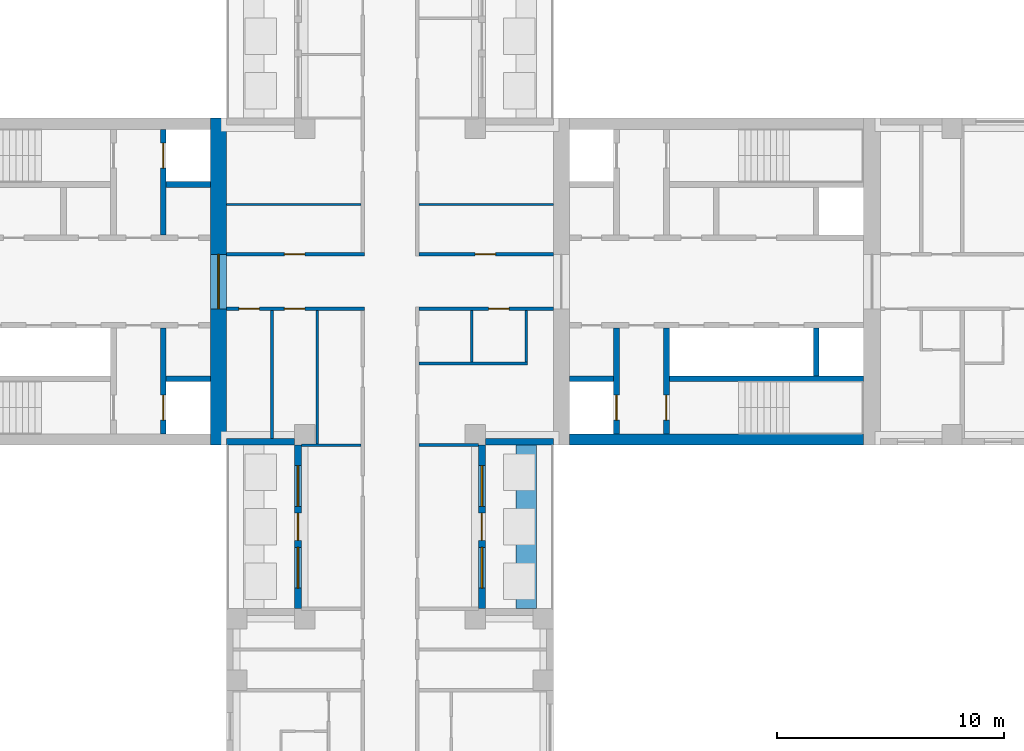
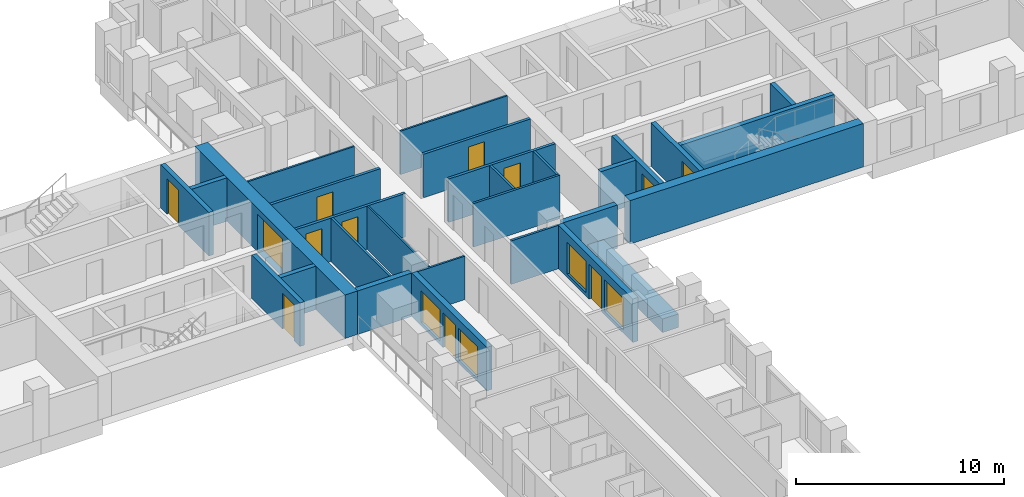
# One storey, part 7 of 13: 29 walls, 12 doors, 4 windows, 16 openings.
"""IFC4 building model written with IfcOpenShell, lengths in metres."""

from ifc_helpers import new_model, si_unit, direction, frame, frame_2d, origin, place, context, subcontext, project, spatial, rectangle, extrude, material, layer, layer_set, type_object, element, fill, save


model = new_model("IFC4")

# Units and contexts
model_context = context("Model", 3, precision=1e-05, world=origin(), true_north=direction((0.0, 1.0)))
body_context = subcontext(model_context, "Body", "Model", "MODEL_VIEW")
ifc_project = project(units=[si_unit("LENGTHUNIT", "METRE"), si_unit("AREAUNIT", "SQUARE_METRE"), si_unit("VOLUMEUNIT", "CUBIC_METRE"), si_unit("PLANEANGLEUNIT", "RADIAN"), si_unit("MASSUNIT", "GRAM", prefix="KILO")], contexts=[model_context])

# Site, building, storey
site_placement = place(None, origin())
site = spatial("IfcSite", under=ifc_project, at=site_placement, CompositionType="ELEMENT")
building_placement = place(site_placement, origin())
building = spatial("IfcBuilding", under=site, at=building_placement, Name="Fustian Cross Tower", CompositionType="ELEMENT")
storey_placement = place(building_placement, frame((0.0, 0.0, 108.89990234375)))
storey = spatial("IfcBuildingStorey", under=building, at=storey_placement, Name="L34", CompositionType="ELEMENT", Elevation=108.89990234375)

# Wall, openings, doors
ifc_material_1 = material(Name="Plasterboard on steel stud", Category="steel")
ifc_layer_1 = layer(ifc_material_1, 0.14990234375)
ifc_layer_set_1 = layer_set([ifc_layer_1], Name="Plasterboard on steel stud")
wall_type_1 = type_object("IfcWallType", Name="COMPARTMENT WALL 150 EI 60", PredefinedType="PARTITIONING", material=ifc_layer_set_1)
wall_1_placement = place(storey_placement, frame((-7.199951171875, -1.199951171875, 0.0), z_axis=(0.0, 0.0, 1.0), x_axis=(1.0, 0.0, 0.0)))
wall_1 = element("IfcWall", 1, at=wall_1_placement, inside=storey, type_object=wall_type_1, Name="Partition 12", PredefinedType="PARTITIONING", context=body_context, shape_type="SweptSolid", body=[
    extrude(rectangle(XDim=6.074951171875, YDim=0.14990234375, at=frame_2d((3.03759765625, 0.0))), origin(), (0.0, 0.0, 1.0), 2.550048828125),
])
opening_1_placement = place(wall_1_placement, frame((2.550048828125, 0.0, 0.0)))
opening_1 = element("IfcOpeningElement", 2, at=opening_1_placement, cuts=wall_1, Name="Opening D15009", PredefinedType="OPENING", context=body_context, shape_type="SweptSolid", body=[
    extrude(rectangle(XDim=0.89990234375, YDim=2.10009765625, at=frame_2d((0.449951171875, 1.050048828125))), frame((0.0, 0.0849609375, 0.0), z_axis=(0.0, -1.0, 0.0), x_axis=(1.0, 0.0, 0.0)), (0.0, 0.0, 1.0), 0.169921875),
])
opening_2_placement = place(wall_1_placement, frame((0.550048828125, 0.0, 0.0)))
opening_2 = element("IfcOpeningElement", 3, at=opening_2_placement, cuts=wall_1, Name="Opening D15010", PredefinedType="OPENING", context=body_context, shape_type="SweptSolid", body=[
    extrude(rectangle(XDim=0.89990234375, YDim=2.10009765625, at=frame_2d((0.449951171875, 1.050048828125))), frame((0.0, 0.0849609375, 0.0), z_axis=(0.0, -1.0, 0.0), x_axis=(1.0, 0.0, 0.0)), (0.0, 0.0, 1.0), 0.169921875),
])
ifc_material_2 = material(Name="Timber fire door set", Category="wood")
door_type_1 = type_object("IfcDoorType", Name="FIRE SWING DOOR 900 FD30S", OperationType="SINGLE_SWING_LEFT", PredefinedType="DOOR", material=ifc_material_2)
door_1_placement = place(opening_1_placement, frame((0.89990234375, 0.0, 0.0), z_axis=(0.0, 0.0, 1.0), x_axis=(-1.0, 0.0, 0.0)))
door_1 = element("IfcDoor", 4, at=door_1_placement, inside=storey, type_object=door_type_1, Name="Door D15009", OperationType="SINGLE_SWING_RIGHT", OverallHeight=2.10009765625, OverallWidth=0.89990234375, PredefinedType="DOOR", context=body_context, shape_type="SweptSolid", body=[
    extrude(rectangle(XDim=0.89990234375, YDim=2.10009765625, at=frame_2d((0.449951171875, 1.050048828125))), frame((0.0, 0.02490234375, 0.0), z_axis=(0.0, -1.0, 0.0), x_axis=(1.0, 0.0, 0.0)), (0.0, 0.0, 1.0), 0.050048828125),
])
fill(opening_1, door_1)
door_2_placement = place(opening_2_placement, frame((0.89990234375, 0.0, 0.0), z_axis=(0.0, 0.0, 1.0), x_axis=(-1.0, 0.0, 0.0)))
door_2 = element("IfcDoor", 5, at=door_2_placement, inside=storey, type_object=door_type_1, Name="Door D15010", OperationType="SINGLE_SWING_RIGHT", OverallHeight=2.10009765625, OverallWidth=0.89990234375, PredefinedType="DOOR", context=body_context, shape_type="SweptSolid", body=[
    extrude(rectangle(XDim=0.89990234375, YDim=2.10009765625, at=frame_2d((0.449951171875, 1.050048828125))), frame((0.0, 0.02490234375, 0.0), z_axis=(0.0, -1.0, 0.0), x_axis=(1.0, 0.0, 0.0)), (0.0, 0.0, 1.0), 0.050048828125),
])
fill(opening_2, door_2)

# Wall, opening, door
wall_2_placement = place(storey_placement, frame((-7.199951171875, 1.199951171875, 0.0), z_axis=(0.0, 0.0, 1.0), x_axis=(1.0, 0.0, 0.0)))
wall_2 = element("IfcWall", 6, at=wall_2_placement, inside=storey, type_object=wall_type_1, Name="Partition 13", PredefinedType="PARTITIONING", context=body_context, shape_type="SweptSolid", body=[
    extrude(rectangle(XDim=6.074951171875, YDim=0.14990234375, at=frame_2d((3.03759765625, 0.0))), origin(), (0.0, 0.0, 1.0), 2.550048828125),
])
opening_3_placement = place(wall_2_placement, frame((2.550048828125, 0.0, 0.0)))
opening_3 = element("IfcOpeningElement", 7, at=opening_3_placement, cuts=wall_2, Name="Opening D15003", PredefinedType="OPENING", context=body_context, shape_type="SweptSolid", body=[
    extrude(rectangle(XDim=0.89990234375, YDim=2.10009765625, at=frame_2d((0.449951171875, 1.050048828125))), frame((0.0, 0.0849609375, 0.0), z_axis=(0.0, -1.0, 0.0), x_axis=(1.0, 0.0, 0.0)), (0.0, 0.0, 1.0), 0.169921875),
])
door_3_placement = place(opening_3_placement, origin())
door_3 = element("IfcDoor", 8, at=door_3_placement, inside=storey, type_object=door_type_1, Name="Door D15003", OperationType="SINGLE_SWING_LEFT", OverallHeight=2.10009765625, OverallWidth=0.89990234375, PredefinedType="DOOR", context=body_context, shape_type="SweptSolid", body=[
    extrude(rectangle(XDim=0.89990234375, YDim=2.10009765625, at=frame_2d((0.449951171875, 1.050048828125))), frame((0.0, 0.02490234375, 0.0), z_axis=(0.0, -1.0, 0.0), x_axis=(1.0, 0.0, 0.0)), (0.0, 0.0, 1.0), 0.050048828125),
])
fill(opening_3, door_3)

wall_3_placement = place(storey_placement, frame((1.27490234375, -1.199951171875, 0.0), z_axis=(0.0, 0.0, 1.0), x_axis=(1.0, 0.0, 0.0)))
wall_3 = element("IfcWall", 9, at=wall_3_placement, inside=storey, type_object=wall_type_1, Name="Partition 50", PredefinedType="PARTITIONING", context=body_context, shape_type="SweptSolid", body=[
    extrude(rectangle(XDim=5.925048828125, YDim=0.14990234375, at=frame_2d((2.96240234375, 0.0))), origin(), (0.0, 0.0, 1.0), 2.550048828125),
])
opening_4_placement = place(wall_3_placement, frame((3.074951171875, 0.0, 0.0)))
opening_4 = element("IfcOpeningElement", 10, at=opening_4_placement, cuts=wall_3, Name="Opening D15006", PredefinedType="OPENING", context=body_context, shape_type="SweptSolid", body=[
    extrude(rectangle(XDim=0.89990234375, YDim=2.10009765625, at=frame_2d((0.449951171875, 1.050048828125))), frame((0.0, 0.0849609375, 0.0), z_axis=(0.0, -1.0, 0.0), x_axis=(1.0, 0.0, 0.0)), (0.0, 0.0, 1.0), 0.169921875),
])
door_4_placement = place(opening_4_placement, frame((0.89990234375, 0.0, 0.0), z_axis=(0.0, 0.0, 1.0), x_axis=(-1.0, 0.0, 0.0)))
door_4 = element("IfcDoor", 11, at=door_4_placement, inside=storey, type_object=door_type_1, Name="Door D15006", OperationType="SINGLE_SWING_RIGHT", OverallHeight=2.10009765625, OverallWidth=0.89990234375, PredefinedType="DOOR", context=body_context, shape_type="SweptSolid", body=[
    extrude(rectangle(XDim=0.89990234375, YDim=2.10009765625, at=frame_2d((0.449951171875, 1.050048828125))), frame((0.0, 0.02490234375, 0.0), z_axis=(0.0, -1.0, 0.0), x_axis=(1.0, 0.0, 0.0)), (0.0, 0.0, 1.0), 0.050048828125),
])
fill(opening_4, door_4)

wall_4_placement = place(storey_placement, frame((1.27490234375, 1.199951171875, 0.0), z_axis=(0.0, 0.0, 1.0), x_axis=(1.0, 0.0, 0.0)))
wall_4 = element("IfcWall", 12, at=wall_4_placement, inside=storey, type_object=wall_type_1, Name="Partition 52", PredefinedType="PARTITIONING", context=body_context, shape_type="SweptSolid", body=[
    extrude(rectangle(XDim=5.925048828125, YDim=0.14990234375, at=frame_2d((2.96240234375, 0.0))), origin(), (0.0, 0.0, 1.0), 2.550048828125),
])
opening_5_placement = place(wall_4_placement, frame((2.47509765625, 0.0, 0.0)))
opening_5 = element("IfcOpeningElement", 13, at=opening_5_placement, cuts=wall_4, Name="Opening D15001", PredefinedType="OPENING", context=body_context, shape_type="SweptSolid", body=[
    extrude(rectangle(XDim=0.89990234375, YDim=2.10009765625, at=frame_2d((0.449951171875, 1.050048828125))), frame((0.0, 0.0849609375, 0.0), z_axis=(0.0, -1.0, 0.0), x_axis=(1.0, 0.0, 0.0)), (0.0, 0.0, 1.0), 0.169921875),
])
door_5_placement = place(opening_5_placement, origin())
door_5 = element("IfcDoor", 14, at=door_5_placement, inside=storey, type_object=door_type_1, Name="Door D15001", OperationType="SINGLE_SWING_LEFT", OverallHeight=2.10009765625, OverallWidth=0.89990234375, PredefinedType="DOOR", context=body_context, shape_type="SweptSolid", body=[
    extrude(rectangle(XDim=0.89990234375, YDim=2.10009765625, at=frame_2d((0.449951171875, 1.050048828125))), frame((0.0, 0.02490234375, 0.0), z_axis=(0.0, -1.0, 0.0), x_axis=(1.0, 0.0, 0.0)), (0.0, 0.0, 1.0), 0.050048828125),
])
fill(opening_5, door_5)

ifc_material_3 = material(Name="Concrete C70/85", Category="concrete")
ifc_layer_2 = layer(ifc_material_3, 0.699951171875)
ifc_layer_set_2 = layer_set([ifc_layer_2], Name="Concrete C70/85")
wall_type_2 = type_object("IfcWallType", Name="CORE END WALL 700 C70/85", PredefinedType="SHEAR", material=ifc_layer_set_2)
wall_5_placement = place(storey_placement, frame((-7.550048828125, -7.199951171875, 0.0), z_axis=(0.0, 0.0, 1.0), x_axis=(0.0, 1.0, 0.0)))
wall_5 = element("IfcWall", 15, at=wall_5_placement, inside=storey, type_object=wall_type_2, Name="Core end wall", PredefinedType="SHEAR", context=body_context, shape_type="SweptSolid", body=[
    extrude(rectangle(XDim=14.39990234375, YDim=0.699951171875, at=frame_2d((7.199951171875, 0.0))), origin(), (0.0, 0.0, 1.0), 2.550048828125),
])
opening_6_placement = place(wall_5_placement, frame((6.0, 0.0, 0.0)))
opening_6 = element("IfcOpeningElement", 16, at=opening_6_placement, cuts=wall_5, Name="Opening CD-12-27", PredefinedType="OPENING", context=body_context, shape_type="SweptSolid", body=[
    extrude(rectangle(XDim=2.39990234375, YDim=2.199951171875, at=frame_2d((1.199951171875, 1.10009765625))), frame((0.0, 0.35986328125, 0.0), z_axis=(0.0, -1.0, 0.0), x_axis=(1.0, 0.0, 0.0)), (0.0, 0.0, 1.0), 0.719970703125),
])
ifc_material_4 = material(Name="Steel", Category="steel")
door_type_2 = type_object("IfcDoorType", Name="FIRE DOOR FD30S DOUBLE 2400X2200", OperationType="DOUBLE_DOOR_DOUBLE_SWING", PredefinedType="DOOR", material=ifc_material_4)
door_6_placement = place(opening_6_placement, origin())
door_6 = element("IfcDoor", 17, at=door_6_placement, inside=storey, type_object=door_type_2, Name="Core door CD-12-27", OperationType="DOUBLE_DOOR_DOUBLE_SWING", OverallHeight=2.199951171875, OverallWidth=2.39990234375, PredefinedType="DOOR", context=body_context, shape_type="SweptSolid", body=[
    extrude(rectangle(XDim=2.39990234375, YDim=2.199951171875, at=frame_2d((1.199951171875, 1.10009765625))), frame((0.0, 0.02490234375, 0.0), z_axis=(0.0, -1.0, 0.0), x_axis=(1.0, 0.0, 0.0)), (0.0, 0.0, 1.0), 0.050048828125),
])
fill(opening_6, door_6)

# Walls
ifc_material_5 = material(Name="Concrete C70/85", Category="concrete")
ifc_layer_3 = layer(ifc_material_5, 0.5)
ifc_layer_set_3 = layer_set([ifc_layer_3], Name="Concrete C70/85")
wall_type_3 = type_object("IfcWallType", Name="CORE FACADE WALL 500 C70/85", PredefinedType="SHEAR", material=ifc_layer_set_3)
wall_6_placement = place(storey_placement, frame((7.89990234375, -6.949951171875, 0.0), z_axis=(0.0, 0.0, 1.0), x_axis=(1.0, 0.0, 0.0)))
element("IfcWall", 18, at=wall_6_placement, inside=storey, type_object=wall_type_3, Name="Core facade wall", PredefinedType="SHEAR", context=body_context, shape_type="SweptSolid", body=[
    extrude(rectangle(XDim=12.9501953125, YDim=0.5, at=frame_2d((6.47509765625, 0.0))), origin(), (0.0, 0.0, 1.0), 2.550048828125),
])
ifc_material_6 = material(Name="Concrete C50/60", Category="concrete")
ifc_layer_4 = layer(ifc_material_6, 0.25)
ifc_layer_set_4 = layer_set([ifc_layer_4], Name="Concrete C50/60")
wall_type_4 = type_object("IfcWallType", Name="CORE SHAFT WALL 250 C50/60", PredefinedType="SHEAR", material=ifc_layer_set_4)
wall_7_placement = place(storey_placement, frame((7.89990234375, -4.27490234375, 0.0), z_axis=(0.0, 0.0, 1.0), x_axis=(1.0, 0.0, 0.0)))
element("IfcWall", 19, at=wall_7_placement, inside=storey, type_object=wall_type_4, Name="Core shaft wall", PredefinedType="SHEAR", context=body_context, shape_type="SweptSolid", body=[
    extrude(rectangle(XDim=1.9501953125, YDim=0.25, at=frame_2d((0.97509765625, 0.0))), origin(), (0.0, 0.0, 1.0), 2.550048828125),
])
wall_8_placement = place(storey_placement, frame((12.300048828125, -4.27490234375, 0.0), z_axis=(0.0, 0.0, 1.0), x_axis=(1.0, 0.0, 0.0)))
element("IfcWall", 20, at=wall_8_placement, inside=storey, type_object=wall_type_4, Name="Core shaft wall", PredefinedType="SHEAR", context=body_context, shape_type="SweptSolid", body=[
    extrude(rectangle(XDim=8.550048828125, YDim=0.25, at=frame_2d((4.27490234375, 0.0))), origin(), (0.0, 0.0, 1.0), 2.550048828125),
])

# Wall, opening, door
wall_9_placement = place(storey_placement, frame((9.97509765625, -2.050048828125, 0.0), z_axis=(0.0, 0.0, 1.0), x_axis=(0.0, -1.0, 0.0)))
wall_9 = element("IfcWall", 21, at=wall_9_placement, inside=storey, type_object=wall_type_4, Name="Core shaft wall", PredefinedType="SHEAR", context=body_context, shape_type="SweptSolid", body=[
    extrude(rectangle(XDim=4.64990234375, YDim=0.25, at=frame_2d((2.324951171875, 0.0))), origin(), (0.0, 0.0, 1.0), 2.550048828125),
])
opening_7_placement = place(wall_9_placement, frame((2.949951171875, 0.0, 0.0)))
opening_7 = element("IfcOpeningElement", 22, at=opening_7_placement, cuts=wall_9, Name="Opening LD", PredefinedType="OPENING", context=body_context, shape_type="SweptSolid", body=[
    extrude(rectangle(XDim=1.10009765625, YDim=2.10009765625, at=frame_2d((0.550048828125, 1.050048828125))), frame((0.0, 0.135009765625, 0.0), z_axis=(0.0, -1.0, 0.0), x_axis=(1.0, 0.0, 0.0)), (0.0, 0.0, 1.0), 0.27001953125),
])
ifc_material_7 = material(Name="Stainless steel", Category="steel")
door_type_3 = type_object("IfcDoorType", Name="LIFT LANDING DOOR 1100X2100", OperationType="SLIDING_TO_LEFT", PredefinedType="DOOR", material=ifc_material_7)
door_7_placement = place(opening_7_placement, origin())
door_7 = element("IfcDoor", 23, at=door_7_placement, inside=storey, type_object=door_type_3, Name="Landing door SV1", OperationType="SLIDING_TO_LEFT", OverallHeight=2.10009765625, OverallWidth=1.10009765625, PredefinedType="DOOR", context=body_context, shape_type="SweptSolid", body=[
    extrude(rectangle(XDim=1.10009765625, YDim=2.10009765625, at=frame_2d((0.550048828125, 1.050048828125))), frame((0.0, 0.02490234375, 0.0), z_axis=(0.0, -1.0, 0.0), x_axis=(1.0, 0.0, 0.0)), (0.0, 0.0, 1.0), 0.050048828125),
])
fill(opening_7, door_7)

wall_10_placement = place(storey_placement, frame((12.175048828125, -2.050048828125, 0.0), z_axis=(0.0, 0.0, 1.0), x_axis=(0.0, -1.0, 0.0)))
wall_10 = element("IfcWall", 24, at=wall_10_placement, inside=storey, type_object=wall_type_4, Name="Core shaft wall", PredefinedType="SHEAR", context=body_context, shape_type="SweptSolid", body=[
    extrude(rectangle(XDim=4.64990234375, YDim=0.25, at=frame_2d((2.324951171875, 0.0))), origin(), (0.0, 0.0, 1.0), 2.550048828125),
])
opening_8_placement = place(wall_10_placement, frame((2.949951171875, 0.0, 0.0)))
opening_8 = element("IfcOpeningElement", 25, at=opening_8_placement, cuts=wall_10, Name="Opening CD-12-07", PredefinedType="OPENING", context=body_context, shape_type="SweptSolid", body=[
    extrude(rectangle(XDim=1.10009765625, YDim=2.10009765625, at=frame_2d((0.550048828125, 1.050048828125))), frame((0.0, 0.135009765625, 0.0), z_axis=(0.0, -1.0, 0.0), x_axis=(1.0, 0.0, 0.0)), (0.0, 0.0, 1.0), 0.27001953125),
])
ifc_material_8 = material(Name="Steel", Category="steel")
door_type_4 = type_object("IfcDoorType", Name="FIRE DOOR FD60S 1100X2100", OperationType="SINGLE_SWING_LEFT", PredefinedType="DOOR", material=ifc_material_8)
door_8_placement = place(opening_8_placement, origin())
door_8 = element("IfcDoor", 26, at=door_8_placement, inside=storey, type_object=door_type_4, Name="Core door CD-12-07", OperationType="SINGLE_SWING_LEFT", OverallHeight=2.10009765625, OverallWidth=1.10009765625, PredefinedType="DOOR", context=body_context, shape_type="SweptSolid", body=[
    extrude(rectangle(XDim=1.10009765625, YDim=2.10009765625, at=frame_2d((0.550048828125, 1.050048828125))), frame((0.0, 0.02490234375, 0.0), z_axis=(0.0, -1.0, 0.0), x_axis=(1.0, 0.0, 0.0)), (0.0, 0.0, 1.0), 0.050048828125),
])
fill(opening_8, door_8)

# Wall
wall_11_placement = place(storey_placement, frame((-7.89990234375, 4.27490234375, 0.0), z_axis=(0.0, 0.0, 1.0), x_axis=(-1.0, 0.0, 0.0)))
element("IfcWall", 27, at=wall_11_placement, inside=storey, type_object=wall_type_4, Name="Core shaft wall", PredefinedType="SHEAR", context=body_context, shape_type="SweptSolid", body=[
    extrude(rectangle(XDim=1.9501953125, YDim=0.25, at=frame_2d((0.97509765625, 0.0))), origin(), (0.0, 0.0, 1.0), 2.550048828125),
])

# Wall, opening, door
wall_12_placement = place(storey_placement, frame((-9.97509765625, 2.050048828125, 0.0), z_axis=(0.0, 0.0, 1.0), x_axis=(0.0, 1.0, 0.0)))
wall_12 = element("IfcWall", 28, at=wall_12_placement, inside=storey, type_object=wall_type_4, Name="Core shaft wall", PredefinedType="SHEAR", context=body_context, shape_type="SweptSolid", body=[
    extrude(rectangle(XDim=4.64990234375, YDim=0.25, at=frame_2d((2.324951171875, 0.0))), origin(), (0.0, 0.0, 1.0), 2.550048828125),
])
opening_9_placement = place(wall_12_placement, frame((2.949951171875, 0.0, 0.0)))
opening_9 = element("IfcOpeningElement", 29, at=opening_9_placement, cuts=wall_12, Name="Opening LD", PredefinedType="OPENING", context=body_context, shape_type="SweptSolid", body=[
    extrude(rectangle(XDim=1.10009765625, YDim=2.10009765625, at=frame_2d((0.550048828125, 1.050048828125))), frame((0.0, 0.135009765625, 0.0), z_axis=(0.0, -1.0, 0.0), x_axis=(1.0, 0.0, 0.0)), (0.0, 0.0, 1.0), 0.27001953125),
])
door_9_placement = place(opening_9_placement, origin())
door_9 = element("IfcDoor", 30, at=door_9_placement, inside=storey, type_object=door_type_3, Name="Landing door FL1W", OperationType="SLIDING_TO_LEFT", OverallHeight=2.10009765625, OverallWidth=1.10009765625, PredefinedType="DOOR", context=body_context, shape_type="SweptSolid", body=[
    extrude(rectangle(XDim=1.10009765625, YDim=2.10009765625, at=frame_2d((0.550048828125, 1.050048828125))), frame((0.0, 0.02490234375, 0.0), z_axis=(0.0, -1.0, 0.0), x_axis=(1.0, 0.0, 0.0)), (0.0, 0.0, 1.0), 0.050048828125),
])
fill(opening_9, door_9)

# Wall
wall_13_placement = place(storey_placement, frame((-7.89990234375, -4.27490234375, 0.0), z_axis=(0.0, 0.0, 1.0), x_axis=(-1.0, 0.0, 0.0)))
element("IfcWall", 31, at=wall_13_placement, inside=storey, type_object=wall_type_4, Name="Core shaft wall", PredefinedType="SHEAR", context=body_context, shape_type="SweptSolid", body=[
    extrude(rectangle(XDim=1.9501953125, YDim=0.25, at=frame_2d((0.97509765625, 0.0))), origin(), (0.0, 0.0, 1.0), 2.550048828125),
])

# Wall, opening, door
wall_14_placement = place(storey_placement, frame((-9.97509765625, -2.050048828125, 0.0), z_axis=(0.0, 0.0, 1.0), x_axis=(0.0, -1.0, 0.0)))
wall_14 = element("IfcWall", 32, at=wall_14_placement, inside=storey, type_object=wall_type_4, Name="Core shaft wall", PredefinedType="SHEAR", context=body_context, shape_type="SweptSolid", body=[
    extrude(rectangle(XDim=4.64990234375, YDim=0.25, at=frame_2d((2.324951171875, 0.0))), origin(), (0.0, 0.0, 1.0), 2.550048828125),
])
opening_10_placement = place(wall_14_placement, frame((2.949951171875, 0.0, 0.0)))
opening_10 = element("IfcOpeningElement", 33, at=opening_10_placement, cuts=wall_14, Name="Opening LD", PredefinedType="OPENING", context=body_context, shape_type="SweptSolid", body=[
    extrude(rectangle(XDim=1.10009765625, YDim=2.10009765625, at=frame_2d((0.550048828125, 1.050048828125))), frame((0.0, 0.135009765625, 0.0), z_axis=(0.0, -1.0, 0.0), x_axis=(1.0, 0.0, 0.0)), (0.0, 0.0, 1.0), 0.27001953125),
])
door_10_placement = place(opening_10_placement, origin())
door_10 = element("IfcDoor", 34, at=door_10_placement, inside=storey, type_object=door_type_3, Name="Landing door SV1W", OperationType="SLIDING_TO_LEFT", OverallHeight=2.10009765625, OverallWidth=1.10009765625, PredefinedType="DOOR", context=body_context, shape_type="SweptSolid", body=[
    extrude(rectangle(XDim=1.10009765625, YDim=2.10009765625, at=frame_2d((0.550048828125, 1.050048828125))), frame((0.0, 0.02490234375, 0.0), z_axis=(0.0, -1.0, 0.0), x_axis=(1.0, 0.0, 0.0)), (0.0, 0.0, 1.0), 0.050048828125),
])
fill(opening_10, door_10)

# Walls
ifc_material_9 = material(Name="Plasterboard on steel stud", Category="steel")
ifc_layer_5 = layer(ifc_material_9, 0.10009765625)
ifc_layer_set_5 = layer_set([ifc_layer_5], Name="Plasterboard on steel stud")
wall_type_5 = type_object("IfcWallType", Name="PARTITION 100 STUD", PredefinedType="PARTITIONING", material=ifc_layer_set_5)
wall_15_placement = place(storey_placement, frame((-7.199951171875, 3.39990234375, 0.0), z_axis=(0.0, 0.0, 1.0), x_axis=(1.0, 0.0, 0.0)))
element("IfcWall", 35, at=wall_15_placement, inside=storey, type_object=wall_type_5, Name="Partition 14", PredefinedType="PARTITIONING", context=body_context, shape_type="SweptSolid", body=[
    extrude(rectangle(XDim=5.925048828125, YDim=0.10009765625, at=frame_2d((2.96240234375, 0.0))), origin(), (0.0, 0.0, 1.0), 2.550048828125),
])
wall_16_placement = place(storey_placement, frame((-3.89990234375, -7.199951171875, 0.0), z_axis=(0.0, 0.0, 1.0), x_axis=(1.0, 0.0, 0.0)))
element("IfcWall", 36, at=wall_16_placement, inside=storey, type_object=wall_type_5, Name="Partition 32", PredefinedType="PARTITIONING", context=body_context, shape_type="SweptSolid", body=[
    extrude(rectangle(XDim=2.625, YDim=0.10009765625, at=frame_2d((1.3125, 0.0))), origin(), (0.0, 0.0, 1.0), 2.550048828125),
])
wall_17_placement = place(storey_placement, frame((-3.199951171875, -7.14990234375, 0.0), z_axis=(0.0, 0.0, 1.0), x_axis=(0.0, 1.0, 0.0)))
element("IfcWall", 37, at=wall_17_placement, inside=storey, type_object=wall_type_5, Name="Partition 38", PredefinedType="PARTITIONING", context=body_context, shape_type="SweptSolid", body=[
    extrude(rectangle(XDim=5.875, YDim=0.10009765625, at=frame_2d((2.9375, 0.0))), origin(), (0.0, 0.0, 1.0), 2.550048828125),
])
wall_18_placement = place(storey_placement, frame((1.27490234375, 3.39990234375, 0.0), z_axis=(0.0, 0.0, 1.0), x_axis=(1.0, 0.0, 0.0)))
element("IfcWall", 38, at=wall_18_placement, inside=storey, type_object=wall_type_5, Name="Partition 53", PredefinedType="PARTITIONING", context=body_context, shape_type="SweptSolid", body=[
    extrude(rectangle(XDim=5.925048828125, YDim=0.10009765625, at=frame_2d((2.96240234375, 0.0))), origin(), (0.0, 0.0, 1.0), 2.550048828125),
])
ifc_material_10 = material(Name="Concrete C40/50", Category="concrete")
ifc_layer_6 = layer(ifc_material_10, 0.89990234375)
ifc_layer_set_6 = layer_set([ifc_layer_6], Name="Concrete C40/50")
wall_type_6 = type_object("IfcWallType", Name="PK1 PLANTER 900", PredefinedType="PARAPET", material=ifc_layer_set_6)
wall_19_placement = place(storey_placement, frame((6.0, -14.39990234375, 0.0), z_axis=(0.0, 0.0, 1.0), x_axis=(0.0, 1.0, 0.0)))
element("IfcWall", 39, at=wall_19_placement, inside=storey, type_object=wall_type_6, Name="PLANTER", PredefinedType="PARAPET", context=body_context, shape_type="SweptSolid", body=[
    extrude(rectangle(XDim=7.199951171875, YDim=0.89990234375, at=frame_2d((3.60009765625, 0.0))), origin(), (0.0, 0.0, 1.0), 0.800048828125),
])
ifc_material_11 = material(Name="Concrete C40/50", Category="concrete")
ifc_layer_7 = layer(ifc_material_11, 0.25)
ifc_layer_set_7 = layer_set([ifc_layer_7], Name="Concrete C40/50")
wall_type_7 = type_object("IfcWallType", Name="SHAFT PARTITION WALL 250 C40/50", PredefinedType="PARTITIONING", material=ifc_layer_set_7)
wall_20_placement = place(storey_placement, frame((18.77490234375, -2.050048828125, 0.0), z_axis=(0.0, 0.0, 1.0), x_axis=(0.0, -1.0, 0.0)))
element("IfcWall", 40, at=wall_20_placement, inside=storey, type_object=wall_type_7, Name="Core shaft wall", PredefinedType="PARTITIONING", context=body_context, shape_type="SweptSolid", body=[
    extrude(rectangle(XDim=2.099853515625, YDim=0.25, at=frame_2d((1.0498046875, 0.0))), origin(), (0.0, 0.0, 1.0), 2.550048828125),
])
ifc_material_12 = material(Name="Plasterboard on steel stud", Category="steel")
ifc_layer_8 = layer(ifc_material_12, 0.125)
ifc_layer_set_8 = layer_set([ifc_layer_8], Name="Plasterboard on steel stud")
wall_type_8 = type_object("IfcWallType", Name="WET WALL 125 STUD", PredefinedType="PARTITIONING", material=ifc_layer_set_8)
wall_21_placement = place(storey_placement, frame((-5.199951171875, -6.89990234375, 0.0), z_axis=(0.0, 0.0, 1.0), x_axis=(0.0, 1.0, 0.0)))
element("IfcWall", 41, at=wall_21_placement, inside=storey, type_object=wall_type_8, Name="Partition 23", PredefinedType="PARTITIONING", context=body_context, shape_type="SweptSolid", body=[
    extrude(rectangle(XDim=5.625, YDim=0.125, at=frame_2d((2.8125, 0.0))), origin(), (0.0, 0.0, 1.0), 2.550048828125),
])
wall_22_placement = place(storey_placement, frame((1.27490234375, -7.199951171875, 0.0), z_axis=(0.0, 0.0, 1.0), x_axis=(1.0, 0.0, 0.0)))
element("IfcWall", 42, at=wall_22_placement, inside=storey, type_object=wall_type_8, Name="Partition 48", PredefinedType="PARTITIONING", context=body_context, shape_type="SweptSolid", body=[
    extrude(rectangle(XDim=2.625, YDim=0.125, at=frame_2d((1.3125, 0.0))), origin(), (0.0, 0.0, 1.0), 2.550048828125),
])
wall_23_placement = place(storey_placement, frame((1.27490234375, -3.60009765625, 0.0), z_axis=(0.0, 0.0, 1.0), x_axis=(1.0, 0.0, 0.0)))
element("IfcWall", 43, at=wall_23_placement, inside=storey, type_object=wall_type_8, Name="Partition 49", PredefinedType="PARTITIONING", context=body_context, shape_type="SweptSolid", body=[
    extrude(rectangle(XDim=4.78759765625, YDim=0.125, at=frame_2d((2.393798828125, 0.0))), origin(), (0.0, 0.0, 1.0), 2.550048828125),
])
for number, where, z_axis, x_axis, name in (
    (44, (3.60009765625, -3.53759765625, 0.0), (0.0, 0.0, 1.0), (0.0, 1.0, 0.0), "Partition 63"),
    (45, (6.0, -3.53759765625, 0.0), (0.0, 0.0, 1.0), (0.0, 1.0, 0.0), "Partition 69"),
):
    element("IfcWall", number, at=place(storey_placement, frame(where, z_axis=z_axis, x_axis=x_axis)), inside=storey, type_object=wall_type_8, Name=name, PredefinedType="PARTITIONING", context=body_context, shape_type="SweptSolid", body=[
        extrude(rectangle(XDim=2.2626953125, YDim=0.125, at=frame_2d((1.13134765625, 0.0))), origin(), (0.0, 0.0, 1.0), 2.550048828125),
    ])
ifc_material_13 = material(Name="Dark aluminium cladding on insulated backing wall", Category="aluminium")
ifc_layer_9 = layer(ifc_material_13, 0.300048828125)
ifc_layer_set_9 = layer_set([ifc_layer_9], Name="Dark aluminium cladding on insulated backing wall")
wall_type_9 = type_object("IfcWallType", Name="XW1 EXTERNAL WALL 300", PredefinedType="SOLIDWALL", material=ifc_layer_set_9)
wall_24_placement = place(storey_placement, frame((-7.199951171875, -7.050048828125, 0.0), z_axis=(0.0, 0.0, 1.0), x_axis=(1.0, 0.0, 0.0)))
element("IfcWall", 46, at=wall_24_placement, inside=storey, type_object=wall_type_9, Name="External wall", PredefinedType="SOLIDWALL", context=body_context, shape_type="SweptSolid", body=[
    extrude(rectangle(XDim=3.0, YDim=0.300048828125, at=frame_2d((1.5, 0.0))), origin(), (0.0, 0.0, 1.0), 2.550048828125),
])

# Wall, openings, door, windows
wall_25_placement = place(storey_placement, frame((-4.050048828125, -7.199951171875, 0.0), z_axis=(0.0, 0.0, 1.0), x_axis=(0.0, -1.0, 0.0)))
wall_25 = element("IfcWall", 47, at=wall_25_placement, inside=storey, type_object=wall_type_9, Name="External wall", PredefinedType="SOLIDWALL", context=body_context, shape_type="SweptSolid", body=[
    extrude(rectangle(XDim=7.199951171875, YDim=0.300048828125, at=frame_2d((3.60009765625, 0.0))), origin(), (0.0, 0.0, 1.0), 2.550048828125),
])
opening_11_placement = place(wall_25_placement, frame((3.0, 0.0, 0.0)))
opening_11 = element("IfcOpeningElement", 48, at=opening_11_placement, cuts=wall_25, Name="Opening XD4", PredefinedType="OPENING", context=body_context, shape_type="SweptSolid", body=[
    extrude(rectangle(XDim=1.199951171875, YDim=2.050048828125, at=frame_2d((0.60009765625, 1.02490234375))), frame((0.0, 0.159912109375, 0.0), z_axis=(0.0, -1.0, 0.0), x_axis=(1.0, 0.0, 0.0)), (0.0, 0.0, 1.0), 0.320068359375),
])
opening_12_placement = place(wall_25_placement, frame((0.89990234375, 0.0, 0.199951171875)))
opening_12 = element("IfcOpeningElement", 49, at=opening_12_placement, cuts=wall_25, Name="Opening WN2", PredefinedType="OPENING", context=body_context, shape_type="SweptSolid", body=[
    extrude(rectangle(XDim=1.800048828125, YDim=1.85009765625, at=frame_2d((0.89990234375, 0.925048828125))), frame((0.0, 0.159912109375, 0.0), z_axis=(0.0, -1.0, 0.0), x_axis=(1.0, 0.0, 0.0)), (0.0, 0.0, 1.0), 0.320068359375),
])
opening_13_placement = place(wall_25_placement, frame((4.5, 0.0, 0.199951171875)))
opening_13 = element("IfcOpeningElement", 50, at=opening_13_placement, cuts=wall_25, Name="Opening WN2", PredefinedType="OPENING", context=body_context, shape_type="SweptSolid", body=[
    extrude(rectangle(XDim=1.800048828125, YDim=1.85009765625, at=frame_2d((0.89990234375, 0.925048828125))), frame((0.0, 0.159912109375, 0.0), z_axis=(0.0, -1.0, 0.0), x_axis=(1.0, 0.0, 0.0)), (0.0, 0.0, 1.0), 0.320068359375),
])
ifc_material_14 = material(Name="Dark anodised aluminium and double glazing", Category="aluminium")
door_type_5 = type_object("IfcDoorType", Name="ED1 BALCONY DOOR 1200X2050", OperationType="SINGLE_SWING_LEFT", PredefinedType="DOOR", material=ifc_material_14)
door_11_placement = place(opening_11_placement, origin())
door_11 = element("IfcDoor", 51, at=door_11_placement, inside=storey, type_object=door_type_5, Name="Balcony door", OperationType="SINGLE_SWING_LEFT", OverallHeight=2.050048828125, OverallWidth=1.199951171875, PredefinedType="DOOR", context=body_context, shape_type="SweptSolid", body=[
    extrude(rectangle(XDim=1.199951171875, YDim=2.050048828125, at=frame_2d((0.60009765625, 1.02490234375))), frame((0.0, 0.02490234375, 0.0), z_axis=(0.0, -1.0, 0.0), x_axis=(1.0, 0.0, 0.0)), (0.0, 0.0, 1.0), 0.050048828125),
])
fill(opening_11, door_11)
ifc_material_15 = material(Name="Dark anodised aluminium and double glazing", Category="aluminium")
window_type = type_object("IfcWindowType", Name="WN2 WINDOW 1800X1850", PartitioningType="SINGLE_PANEL", PredefinedType="WINDOW", material=ifc_material_15)
window_1_placement = place(opening_12_placement, origin())
window_1 = element("IfcWindow", 52, at=window_1_placement, inside=storey, type_object=window_type, Name="Window", OverallHeight=1.85009765625, OverallWidth=1.800048828125, PartitioningType="SINGLE_PANEL", PredefinedType="WINDOW", context=body_context, shape_type="SweptSolid", body=[
    extrude(rectangle(XDim=1.800048828125, YDim=1.85009765625, at=frame_2d((0.89990234375, 0.925048828125))), frame((0.0, 0.030029296875, 0.0), z_axis=(0.0, -1.0, 0.0), x_axis=(1.0, 0.0, 0.0)), (0.0, 0.0, 1.0), 0.06005859375),
])
fill(opening_12, window_1)
window_2_placement = place(opening_13_placement, origin())
window_2 = element("IfcWindow", 53, at=window_2_placement, inside=storey, type_object=window_type, Name="Window", OverallHeight=1.85009765625, OverallWidth=1.800048828125, PartitioningType="SINGLE_PANEL", PredefinedType="WINDOW", context=body_context, shape_type="SweptSolid", body=[
    extrude(rectangle(XDim=1.800048828125, YDim=1.85009765625, at=frame_2d((0.89990234375, 0.925048828125))), frame((0.0, 0.030029296875, 0.0), z_axis=(0.0, -1.0, 0.0), x_axis=(1.0, 0.0, 0.0)), (0.0, 0.0, 1.0), 0.06005859375),
])
fill(opening_13, window_2)

wall_26_placement = place(storey_placement, frame((4.050048828125, -14.39990234375, 0.0), z_axis=(0.0, 0.0, 1.0), x_axis=(0.0, 1.0, 0.0)))
wall_26 = element("IfcWall", 54, at=wall_26_placement, inside=storey, type_object=wall_type_9, Name="External wall", PredefinedType="SOLIDWALL", context=body_context, shape_type="SweptSolid", body=[
    extrude(rectangle(XDim=7.199951171875, YDim=0.300048828125, at=frame_2d((3.60009765625, 0.0))), origin(), (0.0, 0.0, 1.0), 2.550048828125),
])
opening_14_placement = place(wall_26_placement, frame((3.0, 0.0, 0.0)))
opening_14 = element("IfcOpeningElement", 55, at=opening_14_placement, cuts=wall_26, Name="Opening XD3", PredefinedType="OPENING", context=body_context, shape_type="SweptSolid", body=[
    extrude(rectangle(XDim=1.199951171875, YDim=2.050048828125, at=frame_2d((0.60009765625, 1.02490234375))), frame((0.0, 0.159912109375, 0.0), z_axis=(0.0, -1.0, 0.0), x_axis=(1.0, 0.0, 0.0)), (0.0, 0.0, 1.0), 0.320068359375),
])
opening_15_placement = place(wall_26_placement, frame((0.89990234375, 0.0, 0.199951171875)))
opening_15 = element("IfcOpeningElement", 56, at=opening_15_placement, cuts=wall_26, Name="Opening WN2", PredefinedType="OPENING", context=body_context, shape_type="SweptSolid", body=[
    extrude(rectangle(XDim=1.800048828125, YDim=1.85009765625, at=frame_2d((0.89990234375, 0.925048828125))), frame((0.0, 0.159912109375, 0.0), z_axis=(0.0, -1.0, 0.0), x_axis=(1.0, 0.0, 0.0)), (0.0, 0.0, 1.0), 0.320068359375),
])
opening_16_placement = place(wall_26_placement, frame((4.5, 0.0, 0.199951171875)))
opening_16 = element("IfcOpeningElement", 57, at=opening_16_placement, cuts=wall_26, Name="Opening WN2", PredefinedType="OPENING", context=body_context, shape_type="SweptSolid", body=[
    extrude(rectangle(XDim=1.800048828125, YDim=1.85009765625, at=frame_2d((0.89990234375, 0.925048828125))), frame((0.0, 0.159912109375, 0.0), z_axis=(0.0, -1.0, 0.0), x_axis=(1.0, 0.0, 0.0)), (0.0, 0.0, 1.0), 0.320068359375),
])
door_12_placement = place(opening_14_placement, origin())
door_12 = element("IfcDoor", 58, at=door_12_placement, inside=storey, type_object=door_type_5, Name="Balcony door", OperationType="SINGLE_SWING_LEFT", OverallHeight=2.050048828125, OverallWidth=1.199951171875, PredefinedType="DOOR", context=body_context, shape_type="SweptSolid", body=[
    extrude(rectangle(XDim=1.199951171875, YDim=2.050048828125, at=frame_2d((0.60009765625, 1.02490234375))), frame((0.0, 0.02490234375, 0.0), z_axis=(0.0, -1.0, 0.0), x_axis=(1.0, 0.0, 0.0)), (0.0, 0.0, 1.0), 0.050048828125),
])
fill(opening_14, door_12)
window_3_placement = place(opening_15_placement, origin())
window_3 = element("IfcWindow", 59, at=window_3_placement, inside=storey, type_object=window_type, Name="Window", OverallHeight=1.85009765625, OverallWidth=1.800048828125, PartitioningType="SINGLE_PANEL", PredefinedType="WINDOW", context=body_context, shape_type="SweptSolid", body=[
    extrude(rectangle(XDim=1.800048828125, YDim=1.85009765625, at=frame_2d((0.89990234375, 0.925048828125))), frame((0.0, 0.030029296875, 0.0), z_axis=(0.0, -1.0, 0.0), x_axis=(1.0, 0.0, 0.0)), (0.0, 0.0, 1.0), 0.06005859375),
])
fill(opening_15, window_3)
window_4_placement = place(opening_16_placement, origin())
window_4 = element("IfcWindow", 60, at=window_4_placement, inside=storey, type_object=window_type, Name="Window", OverallHeight=1.85009765625, OverallWidth=1.800048828125, PartitioningType="SINGLE_PANEL", PredefinedType="WINDOW", context=body_context, shape_type="SweptSolid", body=[
    extrude(rectangle(XDim=1.800048828125, YDim=1.85009765625, at=frame_2d((0.89990234375, 0.925048828125))), frame((0.0, 0.030029296875, 0.0), z_axis=(0.0, -1.0, 0.0), x_axis=(1.0, 0.0, 0.0)), (0.0, 0.0, 1.0), 0.06005859375),
])
fill(opening_16, window_4)

# Wall
wall_27_placement = place(storey_placement, frame((4.199951171875, -7.050048828125, 0.0), z_axis=(0.0, 0.0, 1.0), x_axis=(1.0, 0.0, 0.0)))
element("IfcWall", 61, at=wall_27_placement, inside=storey, type_object=wall_type_9, Name="External wall", PredefinedType="SOLIDWALL", context=body_context, shape_type="SweptSolid", body=[
    extrude(rectangle(XDim=3.0, YDim=0.300048828125, at=frame_2d((1.5, 0.0))), origin(), (0.0, 0.0, 1.0), 2.550048828125),
])

save(model, "model.ifc")
